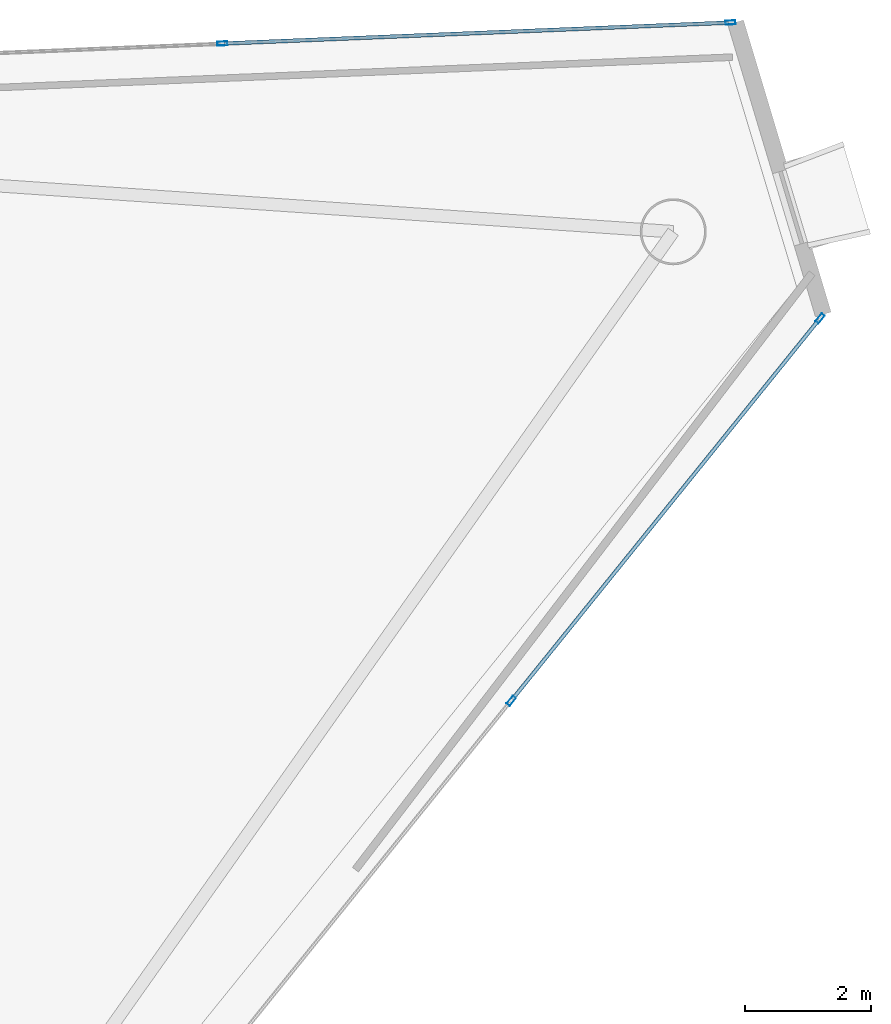
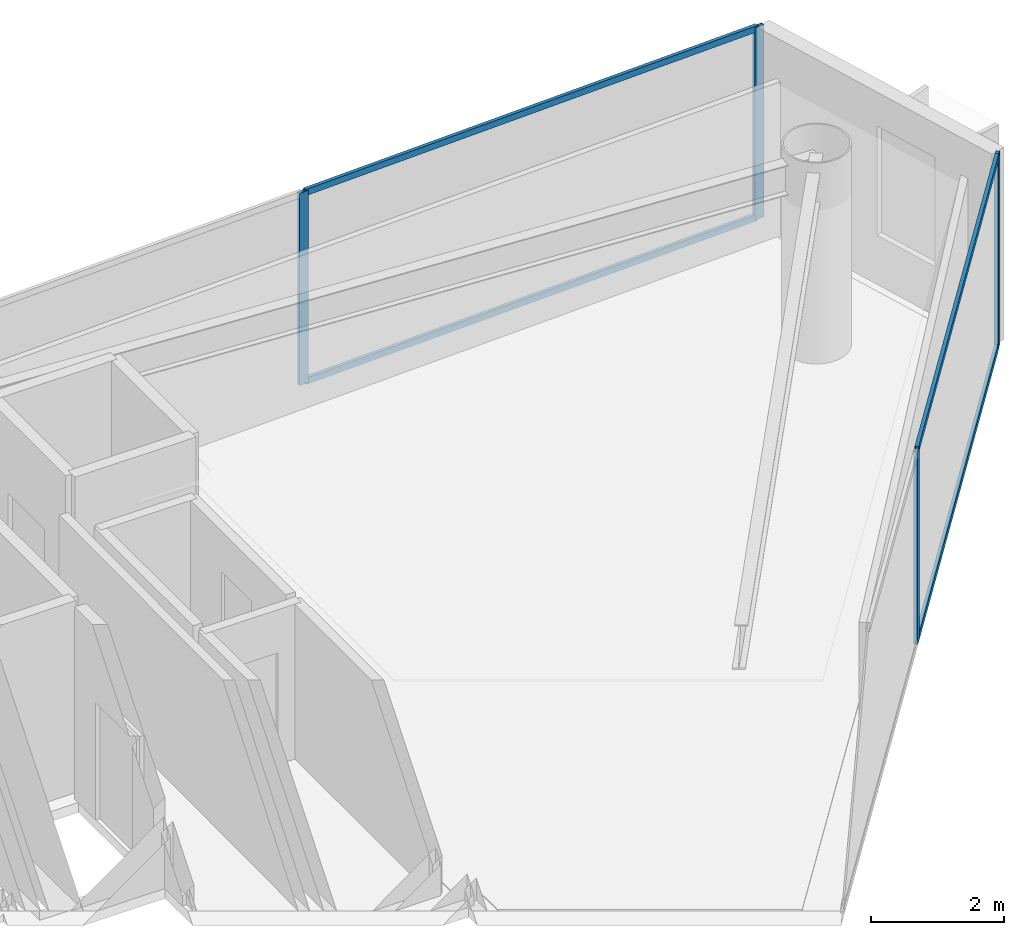
# One storey, part 13 of 19: 8 members, 2 elements without a shape of their own.
"""IFC4 building model written with IfcOpenShell, lengths in metres."""

from ifc_helpers import new_model, si_unit, direction, frame, origin, origin_2d, place, context, subcontext, project, spatial, hollow_rectangle, extrude, material, layer, layer_set, material_profile, profile_set, type_object, element, aggregate, save


model = new_model("IFC4")

# Units and contexts
model_context = context("Model", 3, precision=1e-05, world=origin(), true_north=direction((0.0, 1.0)))
body_context = subcontext(model_context, "Body", "Model", "MODEL_VIEW")
ifc_project = project(units=[si_unit("LENGTHUNIT", "METRE"), si_unit("AREAUNIT", "SQUARE_METRE"), si_unit("VOLUMEUNIT", "CUBIC_METRE"), si_unit("PLANEANGLEUNIT", "RADIAN"), si_unit("MASSUNIT", "GRAM", prefix="KILO")], contexts=[model_context])

# Site, building, storey
site_placement = place(None, origin())
site = spatial("IfcSite", under=ifc_project, at=site_placement, CompositionType="ELEMENT")
building_placement = place(site_placement, origin())
building = spatial("IfcBuilding", under=site, at=building_placement, Name="Qianvela Tower", CompositionType="ELEMENT")
storey_placement = place(building_placement, frame((0.0, 0.0, 261.199951171875)))
storey = spatial("IfcBuildingStorey", under=building, at=storey_placement, Name="L67", CompositionType="ELEMENT", Elevation=261.199951171875)

# Curtain wall, members
ifc_material_1 = material(Name="Anodised Architectural Aluminium and Low-E Glass", Category="aluminium")
ifc_layer = layer(ifc_material_1, 0.159912109375)
ifc_layer_set = layer_set([ifc_layer], Name="Anodised Architectural Aluminium and Low-E Glass")
curtain_wall_type = type_object("IfcCurtainWallType", Name="CW-COLIV-Z56", PredefinedType="USERDEFINED", material=ifc_layer_set)
curtain_wall_1_placement = place(storey_placement, origin())
curtain_wall_1 = element("IfcCurtainWall", 1, at=curtain_wall_1_placement, inside=storey, type_object=curtain_wall_type, Name="L67 CW-COLIV-Z56 Curtain Wall 02A", ObjectType="CURTAIN_WALL_SYSTEM", PredefinedType="USERDEFINED")
ifc_material_2 = material(Name="Anodised Architectural Aluminium 6063-T6", Category="aluminium")
ifc_material_profile_1 = material_profile(ifc_material_2, hollow_rectangle(XDim=0.06494140625, YDim=0.159912109375, WallThickness=0.0048828125, at=origin_2d()), Name="ALU-MULL-65x160")
ifc_profile_set_1 = profile_set([ifc_material_profile_1], Name="Anodised Architectural Aluminium 6063-T6")
member_type_1 = type_object("IfcMemberType", Name="CW-COLIV-Z56-MULL", PredefinedType="MULLION", material=ifc_profile_set_1)
member_1_placement = place(storey_placement, frame((56.24267578125, 37.93212890625, 0.0), z_axis=(0.0, 0.0, 1.0), x_axis=(0.041299373858, -0.999146816899, 0.0)))
member_1 = element("IfcMember", 2, at=member_1_placement, type_object=member_type_1, Name="CW-5 mullion 1", PredefinedType="MULLION", context=body_context, shape_type="SweptSolid", body=[
    extrude(hollow_rectangle(XDim=0.06494140625, YDim=0.159912109375, WallThickness=0.0048828125, at=origin_2d()), origin(), (0.0, 0.0, 1.0), 3.52001953125),
])
member_2_placement = place(storey_placement, frame((48.162109375, 37.59814453125, 0.0), z_axis=(0.0, 0.0, 1.0), x_axis=(0.041299373858, -0.999146816899, 0.0)))
member_2 = element("IfcMember", 3, at=member_2_placement, type_object=member_type_1, Name="CW-5 mullion 2", PredefinedType="MULLION", context=body_context, shape_type="SweptSolid", body=[
    extrude(hollow_rectangle(XDim=0.06494140625, YDim=0.159912109375, WallThickness=0.0048828125, at=origin_2d()), origin(), (0.0, 0.0, 1.0), 3.52001953125),
])

curtain_wall_2_placement = place(storey_placement, origin())
curtain_wall_2 = element("IfcCurtainWall", 4, at=curtain_wall_2_placement, inside=storey, type_object=curtain_wall_type, Name="L67 CW-COLIV-Z56 Curtain Wall 06C", ObjectType="CURTAIN_WALL_SYSTEM", PredefinedType="USERDEFINED")
member_3_placement = place(storey_placement, frame((52.7548828125, 27.145263671875, 0.0), z_axis=(0.0, 0.0, 1.0), x_axis=(-0.777945730872, 0.628331472885, 0.0)))
member_3 = element("IfcMember", 5, at=member_3_placement, type_object=member_type_1, Name="CW-5 mullion 2", PredefinedType="MULLION", context=body_context, shape_type="SweptSolid", body=[
    extrude(hollow_rectangle(XDim=0.06494140625, YDim=0.159912109375, WallThickness=0.0048828125, at=origin_2d()), origin(), (0.0, 0.0, 1.0), 3.52001953125),
])
member_4_placement = place(storey_placement, frame((57.66650390625, 33.2265625, 0.0), z_axis=(0.0, 0.0, 1.0), x_axis=(-0.777945730872, 0.628331472885, 0.0)))
member_4 = element("IfcMember", 6, at=member_4_placement, type_object=member_type_1, Name="CW-5 mullion 3", PredefinedType="MULLION", context=body_context, shape_type="SweptSolid", body=[
    extrude(hollow_rectangle(XDim=0.06494140625, YDim=0.159912109375, WallThickness=0.0048828125, at=origin_2d()), origin(), (0.0, 0.0, 1.0), 3.52001953125),
])

# Member
ifc_material_3 = material(Name="Anodised Architectural Aluminium 6063-T6", Category="aluminium")
ifc_material_profile_2 = material_profile(ifc_material_3, hollow_rectangle(XDim=0.06005859375, YDim=0.114990234375, WallThickness=0.00390625, at=origin_2d()), Name="ALU-TRAN-60x115")
ifc_profile_set_2 = profile_set([ifc_material_profile_2], Name="Anodised Architectural Aluminium 6063-T6")
member_type_2 = type_object("IfcMemberType", Name="CW-COLIV-Z56-TRAN", PredefinedType="USERDEFINED", material=ifc_profile_set_2)
member_5_placement = place(storey_placement, frame((56.210205078125, 37.9306640625, 0.030029296875), z_axis=(-0.999146941084, -0.041296369367, 0.0), x_axis=(0.041296369367, -0.999146941084, 0.0)))
member_5 = element("IfcMember", 7, at=member_5_placement, type_object=member_type_2, Name="CW-5 transom 1.1", ObjectType="TRANSOM", PredefinedType="USERDEFINED", context=body_context, shape_type="SweptSolid", body=[
    extrude(hollow_rectangle(XDim=0.06005859375, YDim=0.114990234375, WallThickness=0.00390625, at=origin_2d()), origin(), (0.0, 0.0, 1.0), 8.0224609375),
])

member_6_placement = place(storey_placement, frame((56.210205078125, 37.9306640625, 3.489990234375), z_axis=(-0.999146941084, -0.041296369367, 0.0), x_axis=(0.041296369367, -0.999146941084, 0.0)))
member_6 = element("IfcMember", 8, at=member_6_placement, type_object=member_type_2, Name="CW-5 transom 1.2", ObjectType="TRANSOM", PredefinedType="USERDEFINED", context=body_context, shape_type="SweptSolid", body=[
    extrude(hollow_rectangle(XDim=0.06005859375, YDim=0.114990234375, WallThickness=0.00390625, at=origin_2d()), origin(), (0.0, 0.0, 1.0), 8.0224609375),
])

aggregate(curtain_wall_1, [member_1, member_2, member_5, member_6])

member_7_placement = place(storey_placement, frame((52.775146484375, 27.170654296875, 0.030029296875), z_axis=(0.628340772475, 0.777938219684, 0.0), x_axis=(-0.777938219684, 0.628340772475, 0.0)))
member_7 = element("IfcMember", 9, at=member_7_placement, type_object=member_type_2, Name="CW-5 transom 2.1", ObjectType="TRANSOM", PredefinedType="USERDEFINED", context=body_context, shape_type="SweptSolid", body=[
    extrude(hollow_rectangle(XDim=0.06005859375, YDim=0.114990234375, WallThickness=0.00390625, at=origin_2d()), origin(), (0.0, 0.0, 1.0), 7.751953125),
])

member_8_placement = place(storey_placement, frame((52.775146484375, 27.170654296875, 3.489990234375), z_axis=(0.628340772475, 0.777938219684, 0.0), x_axis=(-0.777938219684, 0.628340772475, 0.0)))
member_8 = element("IfcMember", 10, at=member_8_placement, type_object=member_type_2, Name="CW-5 transom 2.2", ObjectType="TRANSOM", PredefinedType="USERDEFINED", context=body_context, shape_type="SweptSolid", body=[
    extrude(hollow_rectangle(XDim=0.06005859375, YDim=0.114990234375, WallThickness=0.00390625, at=origin_2d()), origin(), (0.0, 0.0, 1.0), 7.751953125),
])

aggregate(curtain_wall_2, [member_3, member_4, member_7, member_8])

save(model, "model.ifc")
